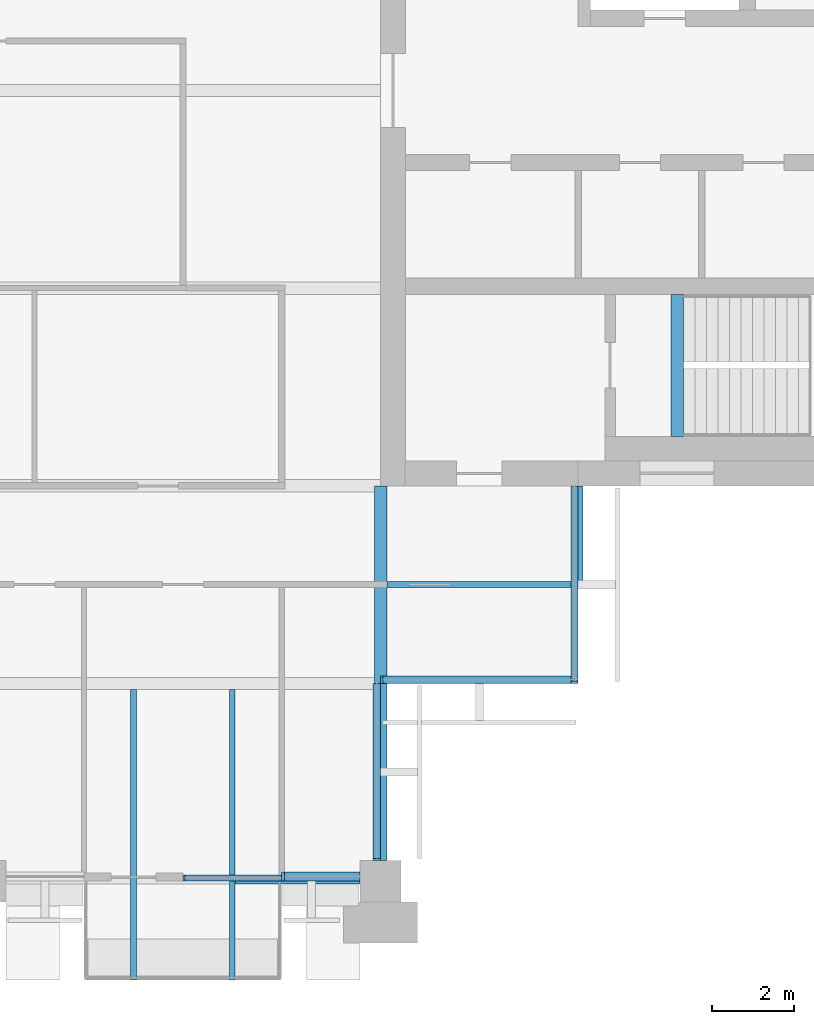
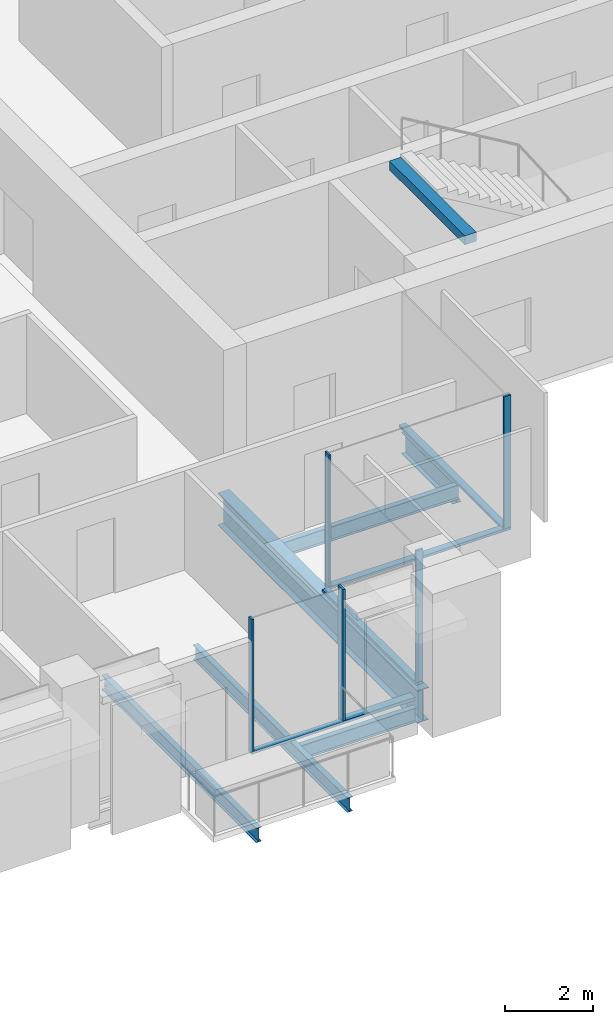
# One storey, part 4 of 13: 10 members, 7 beams, 5 elements without a shape of their own.
"""IFC4 building model written with IfcOpenShell, lengths in metres."""

from ifc_helpers import new_model, si_unit, direction, frame, origin, origin_2d, place, context, subcontext, project, spatial, rectangle, i_section, extrude, material, material_profile, profile_set, type_object, element, aggregate, save


model = new_model("IFC4")

# Units and contexts
model_context = context("Model", 3, precision=1e-05, world=origin(), true_north=direction((0.0, 1.0)))
body_context = subcontext(model_context, "Body", "Model", "MODEL_VIEW")
ifc_project = project(units=[si_unit("LENGTHUNIT", "METRE"), si_unit("AREAUNIT", "SQUARE_METRE"), si_unit("VOLUMEUNIT", "CUBIC_METRE"), si_unit("PLANEANGLEUNIT", "RADIAN"), si_unit("MASSUNIT", "GRAM", prefix="KILO")], contexts=[model_context])

# Site, building, storey
site_placement = place(None, origin())
site = spatial("IfcSite", under=ifc_project, at=site_placement, CompositionType="ELEMENT")
building_placement = place(site_placement, origin())
building = spatial("IfcBuilding", under=site, at=building_placement, Name="Baori Bourse Tower", CompositionType="ELEMENT")
storey_placement = place(building_placement, frame((0.0, 0.0, 350.300048828125)))
storey = spatial("IfcBuildingStorey", under=building, at=storey_placement, Name="L78", CompositionType="ELEMENT", Elevation=350.300048828125)

# Beams
ifc_material_1 = material(Name="Steel A992 Gr 50", Category="steel")
ifc_material_profile_1 = material_profile(ifc_material_1, i_section(OverallWidth=0.140380859375, OverallDepth=0.40380859375, WebThickness=0.007080078125, FlangeThickness=0.01123046875, at=origin_2d()), Name="W16x31")
ifc_profile_set_1 = profile_set([ifc_material_profile_1], Name="Steel A992 Gr 50")
beam_type_1 = type_object("IfcBeamType", Name="Balcony beam W16x31", PredefinedType="BEAM", material=ifc_profile_set_1)
for number, where, z_axis, x_axis, name in (
    (1, (32.39990234375, -2.39990234375, -0.362060546875), (0.0, 1.0, 0.0), (-1.0, 0.0, 0.0), "Balcony beam L78"),
    (2, (34.800048828125, -2.39990234375, -0.362060546875), (0.0, 1.0, 0.0), (-1.0, 0.0, 0.0), "Balcony beam L78"),
):
    element("IfcBeam", number, at=place(storey_placement, frame(where, z_axis=z_axis, x_axis=x_axis)), inside=storey, type_object=beam_type_1, Name=name, PredefinedType="BEAM", context=body_context, shape_type="SweptSolid", body=[
        extrude(i_section(OverallWidth=0.140380859375, OverallDepth=0.40380859375, WebThickness=0.007080078125, FlangeThickness=0.01123046875, at=origin_2d()), origin(), (0.0, 0.0, 1.0), 7.050048828125),
    ])

# Curtain wall, member
ifc_material_2 = material(Name="Pale anodised aluminium", Category="aluminium")
curtain_wall_type_1 = type_object("IfcCurtainWallType", Name="CW2 Curtain wall", PredefinedType="NOTDEFINED", material=ifc_material_2)
curtain_wall_1_placement = place(storey_placement, origin())
curtain_wall_1 = element("IfcCurtainWall", 3, at=curtain_wall_1_placement, inside=storey, type_object=curtain_wall_type_1, Name="Curtain wall CW2 L78 16", PredefinedType="NOTDEFINED")
ifc_material_3 = material(Name="Pale anodised aluminium", Category="aluminium")
ifc_material_profile_2 = material_profile(ifc_material_3, rectangle(XDim=0.179931640625, YDim=0.054931640625, at=origin_2d()), Name="Mullion 55x180")
ifc_profile_set_2 = profile_set([ifc_material_profile_2], Name="Pale anodised aluminium")
member_type_1 = type_object("IfcMemberType", Name="CW2 Curtain wall mullion", PredefinedType="MULLION", material=ifc_profile_set_2)
member_1_placement = place(storey_placement, frame((38.31005859375, 0.527587890625, 0.070068359375), z_axis=(0.0, 0.0, 1.0), x_axis=(-1.0, 0.0, 0.0)))
member_1 = element("IfcMember", 4, at=member_1_placement, type_object=member_type_1, Name="Curtain wall CW2 mullion", PredefinedType="MULLION", context=body_context, shape_type="SweptSolid", body=[
    extrude(rectangle(XDim=0.179931640625, YDim=0.054931640625, at=origin_2d()), origin(), (0.0, 0.0, 1.0), 3.679931640625),
])

curtain_wall_2_placement = place(storey_placement, origin())
curtain_wall_2 = element("IfcCurtainWall", 5, at=curtain_wall_2_placement, inside=storey, type_object=curtain_wall_type_1, Name="Curtain wall CW2 L78 17", PredefinedType="NOTDEFINED")
member_2_placement = place(storey_placement, frame((38.427490234375, 4.889892578125, 0.070068359375), z_axis=(0.0, 0.0, 1.0), x_axis=(0.0, 1.0, 0.0)))
member_2 = element("IfcMember", 6, at=member_2_placement, type_object=member_type_1, Name="Curtain wall CW2 mullion", PredefinedType="MULLION", context=body_context, shape_type="SweptSolid", body=[
    extrude(rectangle(XDim=0.179931640625, YDim=0.054931640625, at=origin_2d()), origin(), (0.0, 0.0, 1.0), 3.679931640625),
])

curtain_wall_3_placement = place(storey_placement, origin())
curtain_wall_3 = element("IfcCurtainWall", 7, at=curtain_wall_3_placement, inside=storey, type_object=curtain_wall_type_1, Name="Curtain wall CW2 L78 18", PredefinedType="NOTDEFINED")
member_3_placement = place(storey_placement, frame((43.110107421875, 4.827392578125, 0.070068359375), z_axis=(0.0, 0.0, 1.0), x_axis=(-1.0, 0.0, 0.0)))
member_3 = element("IfcMember", 8, at=member_3_placement, type_object=member_type_1, Name="Curtain wall CW2 mullion", PredefinedType="MULLION", context=body_context, shape_type="SweptSolid", body=[
    extrude(rectangle(XDim=0.179931640625, YDim=0.054931640625, at=origin_2d()), origin(), (0.0, 0.0, 1.0), 3.679931640625),
])

# Member
ifc_material_4 = material(Name="Pale anodised aluminium", Category="aluminium")
ifc_material_profile_3 = material_profile(ifc_material_4, rectangle(XDim=0.179931640625, YDim=0.070068359375, at=origin_2d()), Name="Transom 70x180")
ifc_profile_set_3 = profile_set([ifc_material_profile_3], Name="Pale anodised aluminium")
member_type_2 = type_object("IfcMemberType", Name="CW2 Curtain wall transom", PredefinedType="USERDEFINED", material=ifc_profile_set_3)
member_4_placement = place(storey_placement, frame((38.31005859375, 0.5, 0.034912109375), z_axis=(0.0, 1.0, 0.0), x_axis=(-1.0, 0.0, 0.0)))
member_4 = element("IfcMember", 9, at=member_4_placement, type_object=member_type_2, Name="Curtain wall CW2 sill rail", ObjectType="TRANSOM", PredefinedType="USERDEFINED", context=body_context, shape_type="SweptSolid", body=[
    extrude(rectangle(XDim=0.179931640625, YDim=0.070068359375, at=origin_2d()), origin(), (0.0, 0.0, 1.0), 4.300048828125),
])

aggregate(curtain_wall_1, [member_4, member_1])

member_5_placement = place(storey_placement, frame((38.39990234375, 4.889892578125, 0.034912109375), z_axis=(1.0, 0.0, 0.0), x_axis=(0.0, 1.0, 0.0)))
member_5 = element("IfcMember", 10, at=member_5_placement, type_object=member_type_2, Name="Curtain wall CW2 sill rail", ObjectType="TRANSOM", PredefinedType="USERDEFINED", context=body_context, shape_type="SweptSolid", body=[
    extrude(rectangle(XDim=0.179931640625, YDim=0.070068359375, at=origin_2d()), origin(), (0.0, 0.0, 1.0), 4.800048828125),
])

aggregate(curtain_wall_2, [member_5, member_2])

member_6_placement = place(storey_placement, frame((43.110107421875, 4.800048828125, 0.034912109375), z_axis=(0.0, 1.0, 0.0), x_axis=(-1.0, 0.0, 0.0)))
member_6 = element("IfcMember", 11, at=member_6_placement, type_object=member_type_2, Name="Curtain wall CW2 sill rail", ObjectType="TRANSOM", PredefinedType="USERDEFINED", context=body_context, shape_type="SweptSolid", body=[
    extrude(rectangle(XDim=0.179931640625, YDim=0.070068359375, at=origin_2d()), origin(), (0.0, 0.0, 1.0), 4.800048828125),
])

aggregate(curtain_wall_3, [member_6, member_3])

# Curtain wall, members
ifc_material_5 = material(Name="Pale anodised aluminium", Category="aluminium")
curtain_wall_type_2 = type_object("IfcCurtainWallType", Name="CW5 Curtain wall", PredefinedType="NOTDEFINED", material=ifc_material_5)
curtain_wall_4_placement = place(storey_placement, origin())
curtain_wall_4 = element("IfcCurtainWall", 12, at=curtain_wall_4_placement, inside=storey, type_object=curtain_wall_type_2, Name="Curtain wall CW5 L78 15", PredefinedType="NOTDEFINED")
ifc_material_6 = material(Name="Pale anodised aluminium", Category="aluminium")
ifc_material_profile_4 = material_profile(ifc_material_6, rectangle(XDim=0.219970703125, YDim=0.06494140625, at=origin_2d()), Name="Mullion 65x220")
ifc_profile_set_4 = profile_set([ifc_material_profile_4], Name="Pale anodised aluminium")
member_type_3 = type_object("IfcMemberType", Name="CW5 Curtain wall mullion", PredefinedType="MULLION", material=ifc_profile_set_4)
member_7_placement = place(storey_placement, frame((36.032470703125, 0.110107421875, 0.0849609375), z_axis=(0.0, 0.0, 1.0), x_axis=(0.0, 1.0, 0.0)))
member_7 = element("IfcMember", 13, at=member_7_placement, type_object=member_type_3, Name="Curtain wall CW5 mullion", PredefinedType="MULLION", context=body_context, shape_type="SweptSolid", body=[
    extrude(rectangle(XDim=0.219970703125, YDim=0.06494140625, at=origin_2d()), origin(), (0.0, 0.0, 1.0), 3.6650390625),
])
ifc_material_7 = material(Name="Pale anodised aluminium", Category="aluminium")
ifc_material_profile_5 = material_profile(ifc_material_7, rectangle(XDim=0.219970703125, YDim=0.0849609375, at=origin_2d()), Name="Transom 85x220")
ifc_profile_set_5 = profile_set([ifc_material_profile_5], Name="Pale anodised aluminium")
member_type_4 = type_object("IfcMemberType", Name="CW5 Curtain wall transom", PredefinedType="USERDEFINED", material=ifc_profile_set_5)
member_8_placement = place(storey_placement, frame((36.0, 0.110107421875, 0.04248046875), z_axis=(1.0, 0.0, 0.0), x_axis=(0.0, 1.0, 0.0)))
member_8 = element("IfcMember", 14, at=member_8_placement, type_object=member_type_4, Name="Curtain wall CW5 sill rail", ObjectType="TRANSOM", PredefinedType="USERDEFINED", context=body_context, shape_type="SweptSolid", body=[
    extrude(rectangle(XDim=0.219970703125, YDim=0.0849609375, at=origin_2d()), origin(), (0.0, 0.0, 1.0), 1.89990234375),
])
aggregate(curtain_wall_4, [member_8, member_7])

ifc_material_8 = material(Name="Pale anodised aluminium", Category="aluminium")
curtain_wall_type_3 = type_object("IfcCurtainWallType", Name="CW6 Curtain wall", PredefinedType="NOTDEFINED", material=ifc_material_8)
curtain_wall_5_placement = place(storey_placement, origin())
curtain_wall_5 = element("IfcCurtainWall", 15, at=curtain_wall_5_placement, inside=storey, type_object=curtain_wall_type_3, Name="Curtain wall CW6 L78 14", PredefinedType="NOTDEFINED")
ifc_material_9 = material(Name="Pale anodised aluminium", Category="aluminium")
ifc_material_profile_6 = material_profile(ifc_material_9, rectangle(XDim=0.14990234375, YDim=0.050048828125, at=origin_2d()), Name="Mullion 50x150")
ifc_profile_set_6 = profile_set([ifc_material_profile_6], Name="Pale anodised aluminium")
member_type_5 = type_object("IfcMemberType", Name="CW6 Curtain wall mullion", PredefinedType="MULLION", material=ifc_profile_set_6)
member_9_placement = place(storey_placement, frame((33.625, 0.074951171875, 0.06494140625), z_axis=(0.0, 0.0, 1.0), x_axis=(0.0, 1.0, 0.0)))
member_9 = element("IfcMember", 16, at=member_9_placement, type_object=member_type_5, Name="Curtain wall CW6 mullion", PredefinedType="MULLION", context=body_context, shape_type="SweptSolid", body=[
    extrude(rectangle(XDim=0.14990234375, YDim=0.050048828125, at=origin_2d()), origin(), (0.0, 0.0, 1.0), 3.68505859375),
])
ifc_material_10 = material(Name="Pale anodised aluminium", Category="aluminium")
ifc_material_profile_7 = material_profile(ifc_material_10, rectangle(XDim=0.14990234375, YDim=0.06494140625, at=origin_2d()), Name="Transom 65x150")
ifc_profile_set_7 = profile_set([ifc_material_profile_7], Name="Pale anodised aluminium")
member_type_6 = type_object("IfcMemberType", Name="CW6 Curtain wall transom", PredefinedType="USERDEFINED", material=ifc_profile_set_7)
member_10_placement = place(storey_placement, frame((33.60009765625, 0.074951171875, 0.032470703125), z_axis=(1.0, 0.0, 0.0), x_axis=(0.0, 1.0, 0.0)))
member_10 = element("IfcMember", 17, at=member_10_placement, type_object=member_type_6, Name="Curtain wall CW6 sill rail", ObjectType="TRANSOM", PredefinedType="USERDEFINED", context=body_context, shape_type="SweptSolid", body=[
    extrude(rectangle(XDim=0.14990234375, YDim=0.06494140625, at=origin_2d()), origin(), (0.0, 0.0, 1.0), 2.39990234375),
])
aggregate(curtain_wall_5, [member_10, member_9])

# Beams
ifc_material_11 = material(Name="Steel A992 Gr 50", Category="steel")
ifc_material_profile_8 = material_profile(ifc_material_11, i_section(OverallWidth=0.227783203125, OverallDepth=0.60205078125, WebThickness=0.010498046875, FlangeThickness=0.014892578125, at=origin_2d()), Name="W24x68")
ifc_profile_set_8 = profile_set([ifc_material_profile_8], Name="Steel A992 Gr 50")
beam_type_2 = type_object("IfcBeamType", Name="Core bracket W24x68", PredefinedType="BEAM", material=ifc_profile_set_8)
beam_1_placement = place(storey_placement, frame((43.199951171875, 7.270263671875, -0.4609375), z_axis=(0.0, 1.0, 0.0), x_axis=(-1.0, 0.0, 0.0)))
element("IfcBeam", 18, at=beam_1_placement, inside=storey, type_object=beam_type_2, Name="Core bracket L78", PredefinedType="BEAM", context=body_context, shape_type="SweptSolid", body=[
    extrude(i_section(OverallWidth=0.227783203125, OverallDepth=0.60205078125, WebThickness=0.010498046875, FlangeThickness=0.014892578125, at=origin_2d()), origin(), (0.0, 0.0, 1.0), 2.329833984375),
])
ifc_material_12 = material(Name="Steel A992 Gr 50", Category="steel")
ifc_material_profile_9 = material_profile(ifc_material_12, i_section(OverallWidth=0.140380859375, OverallDepth=0.40380859375, WebThickness=0.007080078125, FlangeThickness=0.01123046875, at=origin_2d()), Name="W16x31")
ifc_profile_set_9 = profile_set([ifc_material_profile_9], Name="Steel A992 Gr 50")
beam_type_3 = type_object("IfcBeamType", Name="Edge beam W16x31", PredefinedType="BEAM", material=ifc_profile_set_9)
beam_2_placement = place(storey_placement, frame((34.8701171875, 0.0, -0.362060546875), z_axis=(1.0, 0.0, 0.0), x_axis=(0.0, 1.0, 0.0)))
element("IfcBeam", 19, at=beam_2_placement, inside=storey, type_object=beam_type_3, Name="Edge beam L78", PredefinedType="BEAM", context=body_context, shape_type="SweptSolid", body=[
    extrude(i_section(OverallWidth=0.140380859375, OverallDepth=0.40380859375, WebThickness=0.007080078125, FlangeThickness=0.01123046875, at=origin_2d()), origin(), (0.0, 0.0, 1.0), 3.02978515625),
])
ifc_material_13 = material(Name="Steel A992 Gr 50", Category="steel")
ifc_material_profile_10 = material_profile(ifc_material_13, i_section(OverallWidth=0.3046875, OverallDepth=0.904296875, WebThickness=0.01513671875, FlangeThickness=0.02001953125, at=origin_2d()), Name="W36x135")
ifc_profile_set_10 = profile_set([ifc_material_profile_10], Name="Steel A992 Gr 50")
beam_type_4 = type_object("IfcBeamType", Name="Girder W36x135", PredefinedType="BEAM", material=ifc_profile_set_10)
beam_3_placement = place(storey_placement, frame((38.39990234375, 0.5, -0.612060546875), z_axis=(0.0, 1.0, 0.0), x_axis=(-1.0, 0.0, 0.0)))
element("IfcBeam", 20, at=beam_3_placement, inside=storey, type_object=beam_type_4, Name="Girder L78", PredefinedType="BEAM", context=body_context, shape_type="SweptSolid", body=[
    extrude(i_section(OverallWidth=0.3046875, OverallDepth=0.904296875, WebThickness=0.01513671875, FlangeThickness=0.02001953125, at=origin_2d()), origin(), (0.0, 0.0, 1.0), 9.10009765625),
])
ifc_material_14 = material(Name="Concrete f'c 50 MPa", Category="concrete")
ifc_material_profile_11 = material_profile(ifc_material_14, rectangle(XDim=0.300048828125, YDim=0.25, at=origin_2d()), Name="RC 300x250")
ifc_profile_set_11 = profile_set([ifc_material_profile_11], Name="Concrete f'c 50 MPa")
beam_type_5 = type_object("IfcBeamType", Name="Stair nib beam RC 300x250", PredefinedType="BEAM", material=ifc_profile_set_11)
beam_4_placement = place(storey_placement, frame((45.60009765625, 10.800048828125, 3.625), z_axis=(0.0, 1.0, 0.0), x_axis=(-1.0, 0.0, 0.0)))
element("IfcBeam", 21, at=beam_4_placement, inside=storey, type_object=beam_type_5, Name="Stair EA nib beam L79", PredefinedType="BEAM", context=body_context, shape_type="SweptSolid", body=[
    extrude(rectangle(XDim=0.300048828125, YDim=0.25, at=origin_2d()), origin(), (0.0, 0.0, 1.0), 3.449951171875),
])
ifc_material_15 = material(Name="Steel A992 Gr 50", Category="steel")
ifc_material_profile_12 = material_profile(ifc_material_15, i_section(OverallWidth=0.140380859375, OverallDepth=0.40380859375, WebThickness=0.007080078125, FlangeThickness=0.01123046875, at=origin_2d()), Name="W16x31")
ifc_profile_set_12 = profile_set([ifc_material_profile_12], Name="Steel A992 Gr 50")
beam_type_6 = type_object("IfcBeamType", Name="Trimmer beam W16x31", PredefinedType="BEAM", material=ifc_profile_set_12)
beam_5_placement = place(storey_placement, frame((38.552490234375, 7.199951171875, -0.362060546875), z_axis=(1.0, 0.0, 0.0), x_axis=(0.0, 1.0, 0.0)))
element("IfcBeam", 22, at=beam_5_placement, inside=storey, type_object=beam_type_6, Name="Trimmer beam L78", PredefinedType="BEAM", context=body_context, shape_type="SweptSolid", body=[
    extrude(i_section(OverallWidth=0.140380859375, OverallDepth=0.40380859375, WebThickness=0.007080078125, FlangeThickness=0.01123046875, at=origin_2d()), origin(), (0.0, 0.0, 1.0), 4.6474609375),
])

save(model, "model.ifc")
